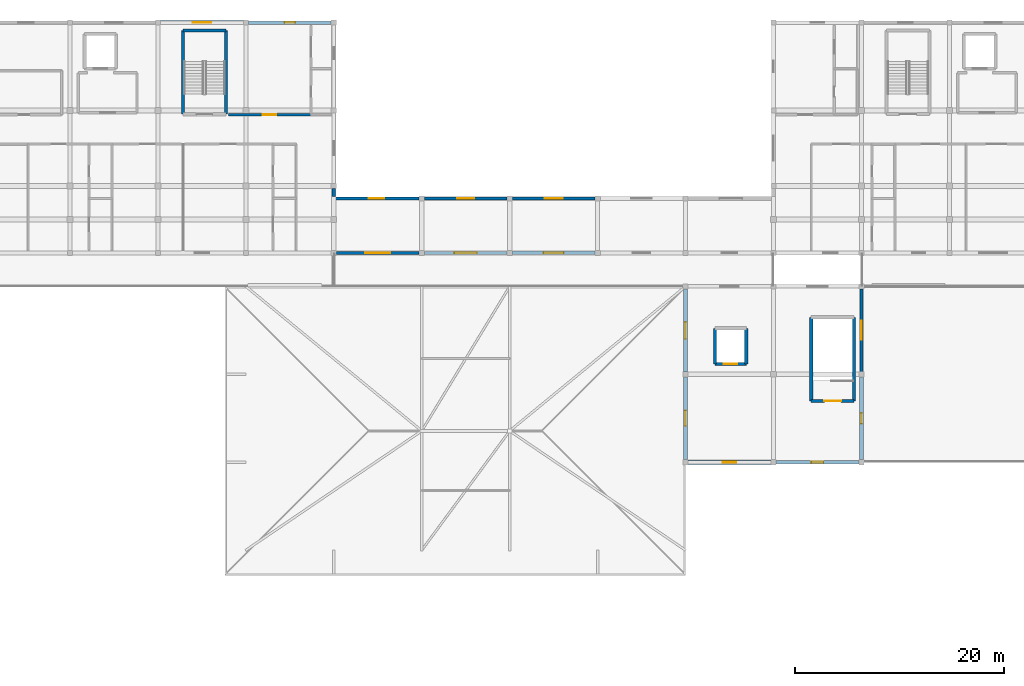
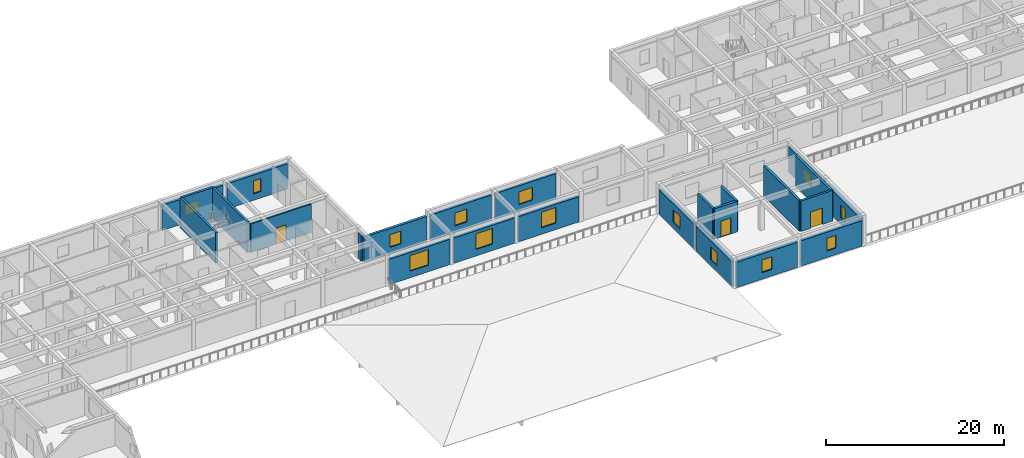
# One storey, part 12 of 28: 25 walls, 14 windows, 3 doors, 17 openings.
"""IFC4 building model written with IfcOpenShell, lengths in metres."""

from ifc_helpers import new_model, si_unit, direction, frame, frame_2d, origin, place, context, subcontext, project, spatial, rectangle, extrude, material, layer, layer_set, type_object, element, fill, save


model = new_model("IFC4")

# Units and contexts
model_context = context("Model", 3, precision=1e-05, world=origin(), true_north=direction((0.0, 1.0)))
body_context = subcontext(model_context, "Body", "Model", "MODEL_VIEW")
ifc_project = project(units=[si_unit("LENGTHUNIT", "METRE"), si_unit("AREAUNIT", "SQUARE_METRE"), si_unit("VOLUMEUNIT", "CUBIC_METRE"), si_unit("PLANEANGLEUNIT", "RADIAN"), si_unit("MASSUNIT", "GRAM", prefix="KILO")], contexts=[model_context])

# Site, building, storey
site_placement = place(None, origin())
site = spatial("IfcSite", under=ifc_project, at=site_placement, CompositionType="ELEMENT")
building_placement = place(site_placement, origin())
building = spatial("IfcBuilding", under=site, at=building_placement, Name="Varncliffe General Hospital", CompositionType="ELEMENT")
storey_placement = place(building_placement, frame((0.0, 0.0, 24.60009765625)))
storey = spatial("IfcBuildingStorey", under=building, at=storey_placement, Name="L05", CompositionType="ELEMENT", Elevation=24.60009765625)

# Wall, opening, window
ifc_material_1 = material(Name="Precast concrete C40/50 with insulated cream lime-cement stucco", Category="concrete")
ifc_layer_1 = layer(ifc_material_1, 0.31005859375)
ifc_layer_set_1 = layer_set([ifc_layer_1], Name="Precast concrete C40/50 with insulated cream lime-cement stucco")
wall_type_1 = type_object("IfcWallType", Name="Exterior Insulated Stucco Wall EW20 (310mm)", PredefinedType="SOLIDWALL", material=ifc_layer_set_1)
wall_1_placement = place(storey_placement, frame((83.751953125, 102.800048828125, 0.0), z_axis=(0.0, 0.0, 1.0), x_axis=(-1.0, 0.0, 0.0)))
wall_1 = element("IfcWall", 1, at=wall_1_placement, inside=storey, type_object=wall_type_1, Name="L05 Exterior Stucco Wall EW20-400", PredefinedType="SOLIDWALL", context=body_context, shape_type="SweptSolid", body=[
    extrude(rectangle(XDim=7.904052734375, YDim=0.31005859375, at=frame_2d((3.9521484375, 0.0))), origin(), (0.0, 0.0, 1.0), 3.47998046875),
])
opening_1_placement = place(wall_1_placement, frame((2.876953125, 0.0, 0.89990234375)))
opening_1 = element("IfcOpeningElement", 2, at=opening_1_placement, cuts=wall_1, Name="Opening WN57", PredefinedType="OPENING", context=body_context, shape_type="SweptSolid", body=[
    extrude(rectangle(XDim=2.14990234375, YDim=2.14990234375, at=frame_2d((1.074951171875, 1.074951171875))), frame((0.0, 0.1650390625, 0.0), z_axis=(0.0, -1.0, 0.0), x_axis=(1.0, 0.0, 0.0)), (0.0, 0.0, 1.0), 0.330078125),
])
ifc_material_2 = material(Name="Triple low-E argon insulated vision glazing", Category="glass")
window_type_1 = type_object("IfcWindowType", Name="Triple-Glazed Hospital Window WN57 (2150x2150)", PartitioningType="DOUBLE_PANEL_VERTICAL", PredefinedType="WINDOW", material=ifc_material_2)
window_1_placement = place(opening_1_placement, origin())
window_1 = element("IfcWindow", 3, at=window_1_placement, inside=storey, type_object=window_type_1, Name="L05 Hospital Window WN57-301", OverallHeight=2.14990234375, OverallWidth=2.14990234375, PartitioningType="DOUBLE_PANEL_VERTICAL", PredefinedType="WINDOW", context=body_context, shape_type="SweptSolid", body=[
    extrude(rectangle(XDim=2.14990234375, YDim=2.14990234375, at=frame_2d((1.074951171875, 1.074951171875))), frame((0.0, 0.030029296875, 0.0), z_axis=(0.0, -1.0, 0.0), x_axis=(1.0, 0.0, 0.0)), (0.0, 0.0, 1.0), 0.06005859375),
])
fill(opening_1, window_1)

wall_2_placement = place(storey_placement, frame((75.847900390625, 108.0, 0.0), z_axis=(0.0, 0.0, 1.0), x_axis=(1.0, 0.0, 0.0)))
wall_2 = element("IfcWall", 4, at=wall_2_placement, inside=storey, type_object=wall_type_1, Name="L05 Exterior Stucco Wall EW20-432", PredefinedType="SOLIDWALL", context=body_context, shape_type="SweptSolid", body=[
    extrude(rectangle(XDim=7.904052734375, YDim=0.31005859375, at=frame_2d((3.9521484375, 0.0))), origin(), (0.0, 0.0, 1.0), 3.47998046875),
])
opening_2_placement = place(wall_2_placement, frame((3.152099609375, 0.0, 0.89990234375)))
opening_2 = element("IfcOpeningElement", 5, at=opening_2_placement, cuts=wall_2, Name="Opening WN87", PredefinedType="OPENING", context=body_context, shape_type="SweptSolid", body=[
    extrude(rectangle(XDim=1.60009765625, YDim=1.75, at=frame_2d((0.800048828125, 0.875))), frame((0.0, 0.1650390625, 0.0), z_axis=(0.0, -1.0, 0.0), x_axis=(1.0, 0.0, 0.0)), (0.0, 0.0, 1.0), 0.330078125),
])
window_type_2 = type_object("IfcWindowType", Name="Triple-Glazed Hospital Window WN87 (1600x1750)", PartitioningType="DOUBLE_PANEL_VERTICAL", PredefinedType="WINDOW", material=ifc_material_2)
window_2_placement = place(opening_2_placement, origin())
window_2 = element("IfcWindow", 6, at=window_2_placement, inside=storey, type_object=window_type_2, Name="L05 Hospital Window WN87-327", OverallHeight=1.75, OverallWidth=1.60009765625, PartitioningType="DOUBLE_PANEL_VERTICAL", PredefinedType="WINDOW", context=body_context, shape_type="SweptSolid", body=[
    extrude(rectangle(XDim=1.60009765625, YDim=1.75, at=frame_2d((0.800048828125, 0.875))), frame((0.0, 0.030029296875, 0.0), z_axis=(0.0, -1.0, 0.0), x_axis=(1.0, 0.0, 0.0)), (0.0, 0.0, 1.0), 0.06005859375),
])
fill(opening_2, window_2)

ifc_layer_2 = layer(ifc_material_1, 0.3798828125)
ifc_layer_set_2 = layer_set([ifc_layer_2], Name="Precast concrete C40/50 with insulated cream lime-cement stucco")
wall_type_2 = type_object("IfcWallType", Name="Exterior Insulated Stucco Wall EW26 (380mm)", PredefinedType="SOLIDWALL", material=ifc_layer_set_2)
wall_3_placement = place(storey_placement, frame((50.64794921875, 124.800048828125, 0.0), z_axis=(0.0, 0.0, 1.0), x_axis=(1.0, 0.0, 0.0)))
wall_3 = element("IfcWall", 7, at=wall_3_placement, inside=storey, type_object=wall_type_2, Name="L05 Exterior Stucco Wall EW26-426", PredefinedType="SOLIDWALL", context=body_context, shape_type="SweptSolid", body=[
    extrude(rectangle(XDim=7.904052734375, YDim=0.3798828125, at=frame_2d((3.9521484375, 0.0))), origin(), (0.0, 0.0, 1.0), 3.47998046875),
])
opening_3_placement = place(wall_3_placement, frame((3.052001953125, 0.0, 0.89990234375)))
opening_3 = element("IfcOpeningElement", 8, at=opening_3_placement, cuts=wall_3, Name="Opening WN52", PredefinedType="OPENING", context=body_context, shape_type="SweptSolid", body=[
    extrude(rectangle(XDim=1.800048828125, YDim=1.550048828125, at=frame_2d((0.89990234375, 0.77490234375))), frame((0.0, 0.199951171875, 0.0), z_axis=(0.0, -1.0, 0.0), x_axis=(1.0, 0.0, 0.0)), (0.0, 0.0, 1.0), 0.39990234375),
])
window_type_3 = type_object("IfcWindowType", Name="Triple-Glazed Hospital Window WN52 (1800x1550)", PartitioningType="DOUBLE_PANEL_VERTICAL", PredefinedType="WINDOW", material=ifc_material_2)
window_3_placement = place(opening_3_placement, origin())
window_3 = element("IfcWindow", 9, at=window_3_placement, inside=storey, type_object=window_type_3, Name="L05 Hospital Window WN52-322", OverallHeight=1.550048828125, OverallWidth=1.800048828125, PartitioningType="DOUBLE_PANEL_VERTICAL", PredefinedType="WINDOW", context=body_context, shape_type="SweptSolid", body=[
    extrude(rectangle(XDim=1.800048828125, YDim=1.550048828125, at=frame_2d((0.89990234375, 0.77490234375))), frame((0.0, 0.030029296875, 0.0), z_axis=(0.0, -1.0, 0.0), x_axis=(1.0, 0.0, 0.0)), (0.0, 0.0, 1.0), 0.06005859375),
])
fill(opening_3, window_3)

wall_4_placement = place(storey_placement, frame((117.60009765625, 90.951904296875, 0.0), z_axis=(0.0, 0.0, 1.0), x_axis=(0.0, -1.0, 0.0)))
wall_4 = element("IfcWall", 10, at=wall_4_placement, inside=storey, type_object=wall_type_2, Name="L05 Exterior Stucco Wall EW26-474", PredefinedType="SOLIDWALL", context=body_context, shape_type="SweptSolid", body=[
    extrude(rectangle(XDim=7.90380859375, YDim=0.3798828125, at=frame_2d((3.951904296875, 0.0))), origin(), (0.0, 0.0, 1.0), 3.47998046875),
])
opening_4_placement = place(wall_4_placement, frame((3.451904296875, 0.0, 0.89990234375)))
opening_4 = element("IfcOpeningElement", 11, at=opening_4_placement, cuts=wall_4, Name="Opening WN53", PredefinedType="OPENING", context=body_context, shape_type="SweptSolid", body=[
    extrude(rectangle(XDim=1.0, YDim=1.75, at=frame_2d((0.5, 0.875))), frame((0.0, 0.199951171875, 0.0), z_axis=(0.0, -1.0, 0.0), x_axis=(1.0, 0.0, 0.0)), (0.0, 0.0, 1.0), 0.39990234375),
])
window_type_4 = type_object("IfcWindowType", Name="Triple-Glazed Hospital Window WN53 (1000x1750)", PartitioningType="SINGLE_PANEL", PredefinedType="WINDOW", material=ifc_material_2)
window_4_placement = place(opening_4_placement, origin())
window_4 = element("IfcWindow", 12, at=window_4_placement, inside=storey, type_object=window_type_4, Name="L05 Hospital Window WN53-367", OverallHeight=1.75, OverallWidth=1.0, PartitioningType="SINGLE_PANEL", PredefinedType="WINDOW", context=body_context, shape_type="SweptSolid", body=[
    extrude(rectangle(XDim=1.0, YDim=1.75, at=frame_2d((0.5, 0.875))), frame((0.0, 0.030029296875, 0.0), z_axis=(0.0, -1.0, 0.0), x_axis=(1.0, 0.0, 0.0)), (0.0, 0.0, 1.0), 0.06005859375),
])
fill(opening_4, window_4)

wall_5_placement = place(storey_placement, frame((100.800048828125, 83.048095703125, 0.0), z_axis=(0.0, 0.0, 1.0), x_axis=(0.0, 1.0, 0.0)))
wall_5 = element("IfcWall", 13, at=wall_5_placement, inside=storey, type_object=wall_type_2, Name="L05 Exterior Stucco Wall EW26-477", PredefinedType="SOLIDWALL", context=body_context, shape_type="SweptSolid", body=[
    extrude(rectangle(XDim=7.90380859375, YDim=0.3798828125, at=frame_2d((3.951904296875, 0.0))), origin(), (0.0, 0.0, 1.0), 3.47998046875),
])
opening_5_placement = place(wall_5_placement, frame((3.22705078125, 0.0, 0.89990234375)))
opening_5 = element("IfcOpeningElement", 14, at=opening_5_placement, cuts=wall_5, Name="Opening WN88", PredefinedType="OPENING", context=body_context, shape_type="SweptSolid", body=[
    extrude(rectangle(XDim=1.449951171875, YDim=1.75, at=frame_2d((0.72509765625, 0.875))), frame((0.0, 0.199951171875, 0.0), z_axis=(0.0, -1.0, 0.0), x_axis=(1.0, 0.0, 0.0)), (0.0, 0.0, 1.0), 0.39990234375),
])
window_type_5 = type_object("IfcWindowType", Name="Triple-Glazed Hospital Window WN88 (1450x1750)", PartitioningType="SINGLE_PANEL", PredefinedType="WINDOW", material=ifc_material_2)
window_5_placement = place(opening_5_placement, origin())
window_5 = element("IfcWindow", 15, at=window_5_placement, inside=storey, type_object=window_type_5, Name="L05 Hospital Window WN88-370", OverallHeight=1.75, OverallWidth=1.449951171875, PartitioningType="SINGLE_PANEL", PredefinedType="WINDOW", context=body_context, shape_type="SweptSolid", body=[
    extrude(rectangle(XDim=1.449951171875, YDim=1.75, at=frame_2d((0.72509765625, 0.875))), frame((0.0, 0.030029296875, 0.0), z_axis=(0.0, -1.0, 0.0), x_axis=(1.0, 0.0, 0.0)), (0.0, 0.0, 1.0), 0.06005859375),
])
fill(opening_5, window_5)

ifc_layer_3 = layer(ifc_material_1, 0.2900390625)
ifc_layer_set_3 = layer_set([ifc_layer_3], Name="Precast concrete C40/50 with insulated cream lime-cement stucco")
wall_type_3 = type_object("IfcWallType", Name="Exterior Insulated Stucco Wall EW31 (290mm)", PredefinedType="SOLIDWALL", material=ifc_layer_set_3)
wall_6_placement = place(storey_placement, frame((75.35205078125, 102.800048828125, 0.0), z_axis=(0.0, 0.0, 1.0), x_axis=(-1.0, 0.0, 0.0)))
wall_6 = element("IfcWall", 16, at=wall_6_placement, inside=storey, type_object=wall_type_3, Name="L05 Exterior Stucco Wall EW31-401", PredefinedType="SOLIDWALL", context=body_context, shape_type="SweptSolid", body=[
    extrude(rectangle(XDim=7.904052734375, YDim=0.2900390625, at=frame_2d((3.9521484375, 0.0))), origin(), (0.0, 0.0, 1.0), 3.47998046875),
])
opening_6_placement = place(wall_6_placement, frame((2.751953125, 0.0, 0.89990234375)))
opening_6 = element("IfcOpeningElement", 17, at=opening_6_placement, cuts=wall_6, Name="Opening WN61", PredefinedType="OPENING", context=body_context, shape_type="SweptSolid", body=[
    extrude(rectangle(XDim=2.39990234375, YDim=2.14990234375, at=frame_2d((1.199951171875, 1.074951171875))), frame((0.0, 0.155029296875, 0.0), z_axis=(0.0, -1.0, 0.0), x_axis=(1.0, 0.0, 0.0)), (0.0, 0.0, 1.0), 0.31005859375),
])
window_type_6 = type_object("IfcWindowType", Name="Triple-Glazed Hospital Window WN61 (2400x2150)", PartitioningType="DOUBLE_PANEL_VERTICAL", PredefinedType="WINDOW", material=ifc_material_2)
window_6_placement = place(opening_6_placement, origin())
window_6 = element("IfcWindow", 18, at=window_6_placement, inside=storey, type_object=window_type_6, Name="L05 Hospital Window WN61-302", OverallHeight=2.14990234375, OverallWidth=2.39990234375, PartitioningType="DOUBLE_PANEL_VERTICAL", PredefinedType="WINDOW", context=body_context, shape_type="SweptSolid", body=[
    extrude(rectangle(XDim=2.39990234375, YDim=2.14990234375, at=frame_2d((1.199951171875, 1.074951171875))), frame((0.0, 0.030029296875, 0.0), z_axis=(0.0, -1.0, 0.0), x_axis=(1.0, 0.0, 0.0)), (0.0, 0.0, 1.0), 0.06005859375),
])
fill(opening_6, window_6)

wall_7_placement = place(storey_placement, frame((84.248046875, 108.0, 0.0), z_axis=(0.0, 0.0, 1.0), x_axis=(1.0, 0.0, 0.0)))
wall_7 = element("IfcWall", 19, at=wall_7_placement, inside=storey, type_object=wall_type_3, Name="L05 Exterior Stucco Wall EW31-433", PredefinedType="SOLIDWALL", context=body_context, shape_type="SweptSolid", body=[
    extrude(rectangle(XDim=7.904052734375, YDim=0.2900390625, at=frame_2d((3.9521484375, 0.0))), origin(), (0.0, 0.0, 1.0), 3.47998046875),
])
opening_7_placement = place(wall_7_placement, frame((3.076904296875, 0.0, 0.89990234375)))
opening_7 = element("IfcOpeningElement", 20, at=opening_7_placement, cuts=wall_7, Name="Opening WN82", PredefinedType="OPENING", context=body_context, shape_type="SweptSolid", body=[
    extrude(rectangle(XDim=1.75, YDim=1.75, at=frame_2d((0.875, 0.875))), frame((0.0, 0.155029296875, 0.0), z_axis=(0.0, -1.0, 0.0), x_axis=(1.0, 0.0, 0.0)), (0.0, 0.0, 1.0), 0.31005859375),
])
window_type_7 = type_object("IfcWindowType", Name="Triple-Glazed Hospital Window WN82 (1750x1750)", PartitioningType="DOUBLE_PANEL_VERTICAL", PredefinedType="WINDOW", material=ifc_material_2)
window_7_placement = place(opening_7_placement, origin())
window_7 = element("IfcWindow", 21, at=window_7_placement, inside=storey, type_object=window_type_7, Name="L05 Hospital Window WN82-328", OverallHeight=1.75, OverallWidth=1.75, PartitioningType="DOUBLE_PANEL_VERTICAL", PredefinedType="WINDOW", context=body_context, shape_type="SweptSolid", body=[
    extrude(rectangle(XDim=1.75, YDim=1.75, at=frame_2d((0.875, 0.875))), frame((0.0, 0.030029296875, 0.0), z_axis=(0.0, -1.0, 0.0), x_axis=(1.0, 0.0, 0.0)), (0.0, 0.0, 1.0), 0.06005859375),
])
fill(opening_7, window_7)

wall_8_placement = place(storey_placement, frame((117.60009765625, 99.35205078125, 0.0), z_axis=(0.0, 0.0, 1.0), x_axis=(0.0, -1.0, 0.0)))
wall_8 = element("IfcWall", 22, at=wall_8_placement, inside=storey, type_object=wall_type_3, Name="L05 Exterior Stucco Wall EW31-473", PredefinedType="SOLIDWALL", context=body_context, shape_type="SweptSolid", body=[
    extrude(rectangle(XDim=7.904052734375, YDim=0.2900390625, at=frame_2d((3.9521484375, 0.0))), origin(), (0.0, 0.0, 1.0), 3.47998046875),
])
opening_8_placement = place(wall_8_placement, frame((3.052001953125, 0.0, 0.89990234375)))
opening_8 = element("IfcOpeningElement", 23, at=opening_8_placement, cuts=wall_8, Name="Opening WN52", PredefinedType="OPENING", context=body_context, shape_type="SweptSolid", body=[
    extrude(rectangle(XDim=1.800048828125, YDim=1.550048828125, at=frame_2d((0.89990234375, 0.77490234375))), frame((0.0, 0.155029296875, 0.0), z_axis=(0.0, -1.0, 0.0), x_axis=(1.0, 0.0, 0.0)), (0.0, 0.0, 1.0), 0.31005859375),
])
window_8_placement = place(opening_8_placement, origin())
window_8 = element("IfcWindow", 24, at=window_8_placement, inside=storey, type_object=window_type_3, Name="L05 Hospital Window WN52-366", OverallHeight=1.550048828125, OverallWidth=1.800048828125, PartitioningType="DOUBLE_PANEL_VERTICAL", PredefinedType="WINDOW", context=body_context, shape_type="SweptSolid", body=[
    extrude(rectangle(XDim=1.800048828125, YDim=1.550048828125, at=frame_2d((0.89990234375, 0.77490234375))), frame((0.0, 0.030029296875, 0.0), z_axis=(0.0, -1.0, 0.0), x_axis=(1.0, 0.0, 0.0)), (0.0, 0.0, 1.0), 0.06005859375),
])
fill(opening_8, window_8)

ifc_layer_4 = layer(ifc_material_1, 0.330078125)
ifc_layer_set_4 = layer_set([ifc_layer_4], Name="Precast concrete C40/50 with insulated cream lime-cement stucco")
wall_type_4 = type_object("IfcWallType", Name="Exterior Insulated Stucco Wall EW33 (330mm)", PredefinedType="SOLIDWALL", material=ifc_layer_set_4)
wall_9_placement = place(storey_placement, frame((92.152099609375, 102.800048828125, 0.0), z_axis=(0.0, 0.0, 1.0), x_axis=(-1.0, 0.0, 0.0)))
wall_9 = element("IfcWall", 25, at=wall_9_placement, inside=storey, type_object=wall_type_4, Name="L05 Exterior Stucco Wall EW33-399", PredefinedType="SOLIDWALL", context=body_context, shape_type="SweptSolid", body=[
    extrude(rectangle(XDim=7.904052734375, YDim=0.330078125, at=frame_2d((3.9521484375, 0.0))), origin(), (0.0, 0.0, 1.0), 3.47998046875),
])
opening_9_placement = place(wall_9_placement, frame((3.001953125, 0.0, 0.89990234375)))
opening_9 = element("IfcOpeningElement", 26, at=opening_9_placement, cuts=wall_9, Name="Opening WN15", PredefinedType="OPENING", context=body_context, shape_type="SweptSolid", body=[
    extrude(rectangle(XDim=1.89990234375, YDim=2.14990234375, at=frame_2d((0.949951171875, 1.074951171875))), frame((0.0, 0.175048828125, 0.0), z_axis=(0.0, -1.0, 0.0), x_axis=(1.0, 0.0, 0.0)), (0.0, 0.0, 1.0), 0.35009765625),
])
window_type_8 = type_object("IfcWindowType", Name="Triple-Glazed Hospital Window WN15 (1900x2150)", PartitioningType="DOUBLE_PANEL_VERTICAL", PredefinedType="WINDOW", material=ifc_material_2)
window_9_placement = place(opening_9_placement, origin())
window_9 = element("IfcWindow", 27, at=window_9_placement, inside=storey, type_object=window_type_8, Name="L05 Hospital Window WN15-300", OverallHeight=2.14990234375, OverallWidth=1.89990234375, PartitioningType="DOUBLE_PANEL_VERTICAL", PredefinedType="WINDOW", context=body_context, shape_type="SweptSolid", body=[
    extrude(rectangle(XDim=1.89990234375, YDim=2.14990234375, at=frame_2d((0.949951171875, 1.074951171875))), frame((0.0, 0.030029296875, 0.0), z_axis=(0.0, -1.0, 0.0), x_axis=(1.0, 0.0, 0.0)), (0.0, 0.0, 1.0), 0.06005859375),
])
fill(opening_9, window_9)

wall_10_placement = place(storey_placement, frame((67.199951171875, 108.0, 0.0), z_axis=(0.0, 0.0, 1.0), x_axis=(1.0, 0.0, 0.0)))
wall_10 = element("IfcWall", 28, at=wall_10_placement, inside=storey, type_object=wall_type_4, Name="L05 Exterior Stucco Wall EW33-431", PredefinedType="SOLIDWALL", context=body_context, shape_type="SweptSolid", body=[
    extrude(rectangle(XDim=8.152099609375, YDim=0.330078125, at=frame_2d((4.076171875, 0.0))), origin(), (0.0, 0.0, 1.0), 3.47998046875),
])
opening_10_placement = place(wall_10_placement, frame((3.35107421875, 0.0, 0.89990234375)))
opening_10 = element("IfcOpeningElement", 29, at=opening_10_placement, cuts=wall_10, Name="Opening WN88", PredefinedType="OPENING", context=body_context, shape_type="SweptSolid", body=[
    extrude(rectangle(XDim=1.449951171875, YDim=1.75, at=frame_2d((0.72509765625, 0.875))), frame((0.0, 0.175048828125, 0.0), z_axis=(0.0, -1.0, 0.0), x_axis=(1.0, 0.0, 0.0)), (0.0, 0.0, 1.0), 0.35009765625),
])
window_10_placement = place(opening_10_placement, origin())
window_10 = element("IfcWindow", 30, at=window_10_placement, inside=storey, type_object=window_type_5, Name="L05 Hospital Window WN88-326", OverallHeight=1.75, OverallWidth=1.449951171875, PartitioningType="SINGLE_PANEL", PredefinedType="WINDOW", context=body_context, shape_type="SweptSolid", body=[
    extrude(rectangle(XDim=1.449951171875, YDim=1.75, at=frame_2d((0.72509765625, 0.875))), frame((0.0, 0.030029296875, 0.0), z_axis=(0.0, -1.0, 0.0), x_axis=(1.0, 0.0, 0.0)), (0.0, 0.0, 1.0), 0.06005859375),
])
fill(opening_10, window_10)

ifc_layer_5 = layer(ifc_material_1, 0.35009765625)
ifc_layer_set_5 = layer_set([ifc_layer_5], Name="Precast concrete C40/50 with insulated cream lime-cement stucco")
wall_type_5 = type_object("IfcWallType", Name="Exterior Insulated Stucco Wall EW37 (350mm)", PredefinedType="SOLIDWALL", material=ifc_layer_set_5)
wall_11_placement = place(storey_placement, frame((59.048095703125, 124.800048828125, 0.0), z_axis=(0.0, 0.0, 1.0), x_axis=(1.0, 0.0, 0.0)))
wall_11 = element("IfcWall", 31, at=wall_11_placement, inside=storey, type_object=wall_type_5, Name="L05 Exterior Stucco Wall EW37-427", PredefinedType="SOLIDWALL", context=body_context, shape_type="SweptSolid", body=[
    extrude(rectangle(XDim=7.90380859375, YDim=0.35009765625, at=frame_2d((3.951904296875, 0.0))), origin(), (0.0, 0.0, 1.0), 3.47998046875),
])
opening_11_placement = place(wall_11_placement, frame((3.451904296875, 0.0, 0.89990234375)))
opening_11 = element("IfcOpeningElement", 32, at=opening_11_placement, cuts=wall_11, Name="Opening WN53", PredefinedType="OPENING", context=body_context, shape_type="SweptSolid", body=[
    extrude(rectangle(XDim=1.0, YDim=1.75, at=frame_2d((0.5, 0.875))), frame((0.0, 0.18505859375, 0.0), z_axis=(0.0, -1.0, 0.0), x_axis=(1.0, 0.0, 0.0)), (0.0, 0.0, 1.0), 0.3701171875),
])
window_11_placement = place(opening_11_placement, origin())
window_11 = element("IfcWindow", 33, at=window_11_placement, inside=storey, type_object=window_type_4, Name="L05 Hospital Window WN53-323", OverallHeight=1.75, OverallWidth=1.0, PartitioningType="SINGLE_PANEL", PredefinedType="WINDOW", context=body_context, shape_type="SweptSolid", body=[
    extrude(rectangle(XDim=1.0, YDim=1.75, at=frame_2d((0.5, 0.875))), frame((0.0, 0.030029296875, 0.0), z_axis=(0.0, -1.0, 0.0), x_axis=(1.0, 0.0, 0.0)), (0.0, 0.0, 1.0), 0.06005859375),
])
fill(opening_11, window_11)

# Wall
wall_12_placement = place(storey_placement, frame((67.199951171875, 108.951904296875, 0.0), z_axis=(0.0, 0.0, 1.0), x_axis=(0.0, -1.0, 0.0)))
element("IfcWall", 34, at=wall_12_placement, inside=storey, type_object=wall_type_5, Name="L05 Exterior Stucco Wall EW37-430", PredefinedType="SOLIDWALL", context=body_context, shape_type="SweptSolid", body=[
    extrude(rectangle(XDim=0.7568359375, YDim=0.35009765625, at=frame_2d((0.37841796875, 0.0))), origin(), (0.0, 0.0, 1.0), 3.47998046875),
])

# Wall, opening, window
wall_13_placement = place(storey_placement, frame((117.35205078125, 82.800048828125, 0.0), z_axis=(0.0, 0.0, 1.0), x_axis=(-1.0, 0.0, 0.0)))
wall_13 = element("IfcWall", 35, at=wall_13_placement, inside=storey, type_object=wall_type_5, Name="L05 Exterior Stucco Wall EW37-475", PredefinedType="SOLIDWALL", context=body_context, shape_type="SweptSolid", body=[
    extrude(rectangle(XDim=7.904052734375, YDim=0.35009765625, at=frame_2d((3.9521484375, 0.0))), origin(), (0.0, 0.0, 1.0), 3.47998046875),
])
opening_12_placement = place(wall_13_placement, frame((3.376953125, 0.0, 0.89990234375)))
opening_12 = element("IfcOpeningElement", 36, at=opening_12_placement, cuts=wall_13, Name="Opening WN60", PredefinedType="OPENING", context=body_context, shape_type="SweptSolid", body=[
    extrude(rectangle(XDim=1.14990234375, YDim=1.75, at=frame_2d((0.574951171875, 0.875))), frame((0.0, 0.18505859375, 0.0), z_axis=(0.0, -1.0, 0.0), x_axis=(1.0, 0.0, 0.0)), (0.0, 0.0, 1.0), 0.3701171875),
])
window_type_9 = type_object("IfcWindowType", Name="Triple-Glazed Hospital Window WN60 (1150x1750)", PartitioningType="SINGLE_PANEL", PredefinedType="WINDOW", material=ifc_material_2)
window_12_placement = place(opening_12_placement, origin())
window_12 = element("IfcWindow", 37, at=window_12_placement, inside=storey, type_object=window_type_9, Name="L05 Hospital Window WN60-368", OverallHeight=1.75, OverallWidth=1.14990234375, PartitioningType="SINGLE_PANEL", PredefinedType="WINDOW", context=body_context, shape_type="SweptSolid", body=[
    extrude(rectangle(XDim=1.14990234375, YDim=1.75, at=frame_2d((0.574951171875, 0.875))), frame((0.0, 0.030029296875, 0.0), z_axis=(0.0, -1.0, 0.0), x_axis=(1.0, 0.0, 0.0)), (0.0, 0.0, 1.0), 0.06005859375),
])
fill(opening_12, window_12)

wall_14_placement = place(storey_placement, frame((100.800048828125, 91.447998046875, 0.0), z_axis=(0.0, 0.0, 1.0), x_axis=(0.0, 1.0, 0.0)))
wall_14 = element("IfcWall", 38, at=wall_14_placement, inside=storey, type_object=wall_type_5, Name="L05 Exterior Stucco Wall EW37-478", PredefinedType="SOLIDWALL", context=body_context, shape_type="SweptSolid", body=[
    extrude(rectangle(XDim=7.904052734375, YDim=0.35009765625, at=frame_2d((3.9521484375, 0.0))), origin(), (0.0, 0.0, 1.0), 3.47998046875),
])
opening_13_placement = place(wall_14_placement, frame((3.152099609375, 0.0, 0.89990234375)))
opening_13 = element("IfcOpeningElement", 39, at=opening_13_placement, cuts=wall_14, Name="Opening WN87", PredefinedType="OPENING", context=body_context, shape_type="SweptSolid", body=[
    extrude(rectangle(XDim=1.60009765625, YDim=1.75, at=frame_2d((0.800048828125, 0.875))), frame((0.0, 0.18505859375, 0.0), z_axis=(0.0, -1.0, 0.0), x_axis=(1.0, 0.0, 0.0)), (0.0, 0.0, 1.0), 0.3701171875),
])
window_13_placement = place(opening_13_placement, origin())
window_13 = element("IfcWindow", 40, at=window_13_placement, inside=storey, type_object=window_type_2, Name="L05 Hospital Window WN87-371", OverallHeight=1.75, OverallWidth=1.60009765625, PartitioningType="DOUBLE_PANEL_VERTICAL", PredefinedType="WINDOW", context=body_context, shape_type="SweptSolid", body=[
    extrude(rectangle(XDim=1.60009765625, YDim=1.75, at=frame_2d((0.800048828125, 0.875))), frame((0.0, 0.030029296875, 0.0), z_axis=(0.0, -1.0, 0.0), x_axis=(1.0, 0.0, 0.0)), (0.0, 0.0, 1.0), 0.06005859375),
])
fill(opening_13, window_13)

ifc_layer_6 = layer(ifc_material_1, 0.39990234375)
ifc_layer_set_6 = layer_set([ifc_layer_6], Name="Precast concrete C40/50 with insulated cream lime-cement stucco")
wall_type_6 = type_object("IfcWallType", Name="Exterior Insulated Stucco Wall EW47 (400mm)", PredefinedType="SOLIDWALL", material=ifc_layer_set_6)
wall_15_placement = place(storey_placement, frame((108.951904296875, 82.800048828125, 0.0), z_axis=(0.0, 0.0, 1.0), x_axis=(-1.0, 0.0, 0.0)))
wall_15 = element("IfcWall", 41, at=wall_15_placement, inside=storey, type_object=wall_type_6, Name="L05 Exterior Stucco Wall EW47-476", PredefinedType="SOLIDWALL", context=body_context, shape_type="SweptSolid", body=[
    extrude(rectangle(XDim=7.90380859375, YDim=0.39990234375, at=frame_2d((3.951904296875, 0.0))), origin(), (0.0, 0.0, 1.0), 3.47998046875),
])
opening_14_placement = place(wall_15_placement, frame((3.302001953125, 0.0, 0.89990234375)))
opening_14 = element("IfcOpeningElement", 42, at=opening_14_placement, cuts=wall_15, Name="Opening WN40", PredefinedType="OPENING", context=body_context, shape_type="SweptSolid", body=[
    extrude(rectangle(XDim=1.300048828125, YDim=1.75, at=frame_2d((0.64990234375, 0.875))), frame((0.0, 0.2099609375, 0.0), z_axis=(0.0, -1.0, 0.0), x_axis=(1.0, 0.0, 0.0)), (0.0, 0.0, 1.0), 0.419921875),
])
window_type_10 = type_object("IfcWindowType", Name="Triple-Glazed Hospital Window WN40 (1300x1750)", PartitioningType="SINGLE_PANEL", PredefinedType="WINDOW", material=ifc_material_2)
window_14_placement = place(opening_14_placement, origin())
window_14 = element("IfcWindow", 43, at=window_14_placement, inside=storey, type_object=window_type_10, Name="L05 Hospital Window WN40-369", OverallHeight=1.75, OverallWidth=1.300048828125, PartitioningType="SINGLE_PANEL", PredefinedType="WINDOW", context=body_context, shape_type="SweptSolid", body=[
    extrude(rectangle(XDim=1.300048828125, YDim=1.75, at=frame_2d((0.64990234375, 0.875))), frame((0.0, 0.030029296875, 0.0), z_axis=(0.0, -1.0, 0.0), x_axis=(1.0, 0.0, 0.0)), (0.0, 0.0, 1.0), 0.06005859375),
])
fill(opening_14, window_14)

# Wall, opening, door
ifc_material_3 = material(Name="Fire-rated gypsum and mineral-wool partition assembly", Category="gypsum")
ifc_layer_7 = layer(ifc_material_3, 0.199951171875)
ifc_layer_set_7 = layer_set([ifc_layer_7], Name="Fire-rated gypsum and mineral-wool partition assembly")
wall_type_7 = type_object("IfcWallType", Name="Interior Partitioning PW63 (200mm)", PredefinedType="PARTITIONING", material=ifc_layer_set_7)
wall_16_placement = place(storey_placement, frame((57.134521484375, 116.0, 0.0), z_axis=(0.0, 0.0, 1.0), x_axis=(1.0, 0.0, 0.0)))
wall_16 = element("IfcWall", 44, at=wall_16_placement, inside=storey, type_object=wall_type_7, Name="L05 Interior Partition Wall PW63-2074", PredefinedType="PARTITIONING", context=body_context, shape_type="SweptSolid", body=[
    extrude(rectangle(XDim=7.865478515625, YDim=0.199951171875, at=frame_2d((3.9326171875, 0.0))), origin(), (0.0, 0.0, 1.0), 3.919921875),
])
opening_15_placement = place(wall_16_placement, frame((3.28271484375, 0.0, 0.0)))
opening_15 = element("IfcOpeningElement", 45, at=opening_15_placement, cuts=wall_16, Name="Opening DC88", PredefinedType="OPENING", context=body_context, shape_type="SweptSolid", body=[
    extrude(rectangle(XDim=1.300048828125, YDim=2.199951171875, at=frame_2d((0.64990234375, 1.10009765625))), frame((0.0, 0.10986328125, 0.0), z_axis=(0.0, -1.0, 0.0), x_axis=(1.0, 0.0, 0.0)), (0.0, 0.0, 1.0), 0.219970703125),
])
ifc_material_4 = material(Name="Fire-rated hospital steel-frame vision-panel door", Category="steel")
door_type_1 = type_object("IfcDoorType", Name="Interior Hospital Door DC88 (1300x2200)", OperationType="NOTDEFINED", PredefinedType="DOOR", material=ifc_material_4)
door_1_placement = place(opening_15_placement, origin())
door_1 = element("IfcDoor", 46, at=door_1_placement, inside=storey, type_object=door_type_1, Name="L05 Maternity Birthing and Postpartum Suite 77 Door", OperationType="SINGLE_SWING_RIGHT", OverallHeight=2.199951171875, OverallWidth=1.300048828125, PredefinedType="DOOR", context=body_context, shape_type="SweptSolid", body=[
    extrude(rectangle(XDim=1.300048828125, YDim=2.199951171875, at=frame_2d((0.64990234375, 1.10009765625))), frame((0.0, 0.02490234375, 0.0), z_axis=(0.0, -1.0, 0.0), x_axis=(1.0, 0.0, 0.0)), (0.0, 0.0, 1.0), 0.050048828125),
])
fill(opening_15, door_1)

# Walls
ifc_material_5 = material(Name="Concrete C40/50 (CSA A23.1 40 MPa)", Category="concrete")
ifc_layer_8 = layer(ifc_material_5, 0.300048828125)
ifc_layer_set_8 = layer_set([ifc_layer_8], Name="Concrete C40/50 (CSA A23.1 40 MPa)")
wall_type_8 = type_object("IfcWallType", Name="Reinforced Concrete Core Shear Wall CW12 (300mm)", PredefinedType="SHEAR", material=ifc_layer_set_8)
wall_17_placement = place(storey_placement, frame((56.89990234375, 116.050048828125, 0.0), z_axis=(0.0, 0.0, 1.0), x_axis=(0.0, 1.0, 0.0)))
element("IfcWall", 47, at=wall_17_placement, inside=storey, type_object=wall_type_8, Name="L05 ST02 Core Shear Wall L", PredefinedType="SHEAR", context=body_context, shape_type="SweptSolid", body=[
    extrude(rectangle(XDim=8.0, YDim=0.300048828125, at=frame_2d((4.0, 0.0))), origin(), (0.0, 0.0, 1.0), 4.199951171875),
])
wall_18_placement = place(storey_placement, frame((56.89990234375, 124.050048828125, 0.0), z_axis=(0.0, 0.0, 1.0), x_axis=(-1.0, 0.0, 0.0)))
element("IfcWall", 48, at=wall_18_placement, inside=storey, type_object=wall_type_8, Name="L05 ST02 Core Shear Wall F", PredefinedType="SHEAR", context=body_context, shape_type="SweptSolid", body=[
    extrude(rectangle(XDim=4.099853515625, YDim=0.300048828125, at=frame_2d((2.0498046875, 0.0))), origin(), (0.0, 0.0, 1.0), 4.199951171875),
])
for number, where, z_axis, x_axis, name in (
    (49, (52.800048828125, 124.050048828125, 0.0), (0.0, 0.0, 1.0), (0.0, -1.0, 0.0), "L05 ST02 Core Shear Wall R"),
    (50, (116.89990234375, 88.64990234375, 0.0), (0.0, 0.0, 1.0), (0.0, 1.0, 0.0), "L05 ST06 Core Shear Wall L"),
    (51, (112.800048828125, 96.64990234375, 0.0), (0.0, 0.0, 1.0), (0.0, -1.0, 0.0), "L05 ST06 Core Shear Wall R"),
):
    element("IfcWall", number, at=place(storey_placement, frame(where, z_axis=z_axis, x_axis=x_axis)), inside=storey, type_object=wall_type_8, Name=name, PredefinedType="SHEAR", context=body_context, shape_type="SweptSolid", body=[
        extrude(rectangle(XDim=8.0, YDim=0.300048828125, at=frame_2d((4.0, 0.0))), origin(), (0.0, 0.0, 1.0), 4.199951171875),
    ])

# Wall, opening, door
wall_19_placement = place(storey_placement, frame((112.800048828125, 88.64990234375, 0.0), z_axis=(0.0, 0.0, 1.0), x_axis=(1.0, 0.0, 0.0)))
wall_19 = element("IfcWall", 52, at=wall_19_placement, inside=storey, type_object=wall_type_8, Name="L05 ST06 Core Shear Wall N", PredefinedType="SHEAR", context=body_context, shape_type="SweptSolid", body=[
    extrude(rectangle(XDim=4.099853515625, YDim=0.300048828125, at=frame_2d((2.0498046875, 0.0))), origin(), (0.0, 0.0, 1.0), 4.199951171875),
])
opening_16_placement = place(wall_19_placement, frame((1.25, 0.0, 0.0)))
opening_16 = element("IfcOpeningElement", 53, at=opening_16_placement, cuts=wall_19, Name="Opening DF27", PredefinedType="OPENING", context=body_context, shape_type="SweptSolid", body=[
    extrude(rectangle(XDim=1.60009765625, YDim=2.25, at=frame_2d((0.800048828125, 1.125))), frame((0.0, 0.16015625, 0.0), z_axis=(0.0, -1.0, 0.0), x_axis=(1.0, 0.0, 0.0)), (0.0, 0.0, 1.0), 0.320068359375),
])
door_type_2 = type_object("IfcDoorType", Name="Interior Hospital Door DF27 (1600x2250)", OperationType="NOTDEFINED", PredefinedType="DOOR", material=ifc_material_4)
door_2_placement = place(opening_16_placement, frame((1.60009765625, 0.0, 0.0), z_axis=(0.0, 0.0, 1.0), x_axis=(-1.0, 0.0, 0.0)))
door_2 = element("IfcDoor", 54, at=door_2_placement, inside=storey, type_object=door_type_2, Name="L05 ST06 Protected Exit Stair Door", OperationType="SINGLE_SWING_RIGHT", OverallHeight=2.25, OverallWidth=1.60009765625, PredefinedType="DOOR", context=body_context, shape_type="SweptSolid", body=[
    extrude(rectangle(XDim=1.60009765625, YDim=2.25, at=frame_2d((0.800048828125, 1.125))), frame((0.0, 0.02490234375, 0.0), z_axis=(0.0, -1.0, 0.0), x_axis=(1.0, 0.0, 0.0)), (0.0, 0.0, 1.0), 0.050048828125),
])
fill(opening_16, door_2)

wall_20_placement = place(storey_placement, frame((103.60009765625, 92.199951171875, 0.0), z_axis=(0.0, 0.0, 1.0), x_axis=(1.0, 0.0, 0.0)))
wall_20 = element("IfcWall", 55, at=wall_20_placement, inside=storey, type_object=wall_type_8, Name="L05 LF07 Elevator Shaft Wall South", PredefinedType="SHEAR", context=body_context, shape_type="SweptSolid", body=[
    extrude(rectangle(XDim=3.0, YDim=0.300048828125, at=frame_2d((1.5, 0.0))), origin(), (0.0, 0.0, 1.0), 4.199951171875),
])
opening_17_placement = place(wall_20_placement, frame((0.85009765625, 0.0, 0.0)))
opening_17 = element("IfcOpeningElement", 56, at=opening_17_placement, cuts=wall_20, Name="Opening LD02", PredefinedType="OPENING", context=body_context, shape_type="SweptSolid", body=[
    extrude(rectangle(XDim=1.300048828125, YDim=2.199951171875, at=frame_2d((0.64990234375, 1.10009765625))), frame((0.0, 0.16015625, 0.0), z_axis=(0.0, -1.0, 0.0), x_axis=(1.0, 0.0, 0.0)), (0.0, 0.0, 1.0), 0.320068359375),
])
ifc_material_6 = material(Name="Brushed stainless-steel sliding elevator landing door", Category="steel")
door_type_3 = type_object("IfcDoorType", Name="Lift Landing Door LD02 (1300x2200)", OperationType="DOUBLE_DOOR_SLIDING", PredefinedType="DOOR", material=ifc_material_6)
door_3_placement = place(opening_17_placement, origin())
door_3 = element("IfcDoor", 57, at=door_3_placement, inside=storey, type_object=door_type_3, Name="Lift Landing Door LF07 L05", OperationType="DOUBLE_DOOR_SLIDING", OverallHeight=2.199951171875, OverallWidth=1.300048828125, PredefinedType="DOOR", context=body_context, shape_type="SweptSolid", body=[
    extrude(rectangle(XDim=1.300048828125, YDim=2.199951171875, at=frame_2d((0.64990234375, 1.10009765625))), frame((0.0, 0.02490234375, 0.0), z_axis=(0.0, -1.0, 0.0), x_axis=(1.0, 0.0, 0.0)), (0.0, 0.0, 1.0), 0.050048828125),
])
fill(opening_17, door_3)

# Walls
for number, where, z_axis, x_axis, name in (
    (58, (106.60009765625, 92.199951171875, 0.0), (0.0, 0.0, 1.0), (0.0, 1.0, 0.0), "L05 LF07 Elevator Shaft Wall East"),
    (59, (103.60009765625, 95.60009765625, 0.0), (0.0, 0.0, 1.0), (0.0, -1.0, 0.0), "L05 LF07 Elevator Shaft Wall West"),
):
    element("IfcWall", number, at=place(storey_placement, frame(where, z_axis=z_axis, x_axis=x_axis)), inside=storey, type_object=wall_type_8, Name=name, PredefinedType="SHEAR", context=body_context, shape_type="SweptSolid", body=[
        extrude(rectangle(XDim=3.400146484375, YDim=0.300048828125, at=frame_2d((1.7001953125, 0.0))), origin(), (0.0, 0.0, 1.0), 4.199951171875),
    ])

save(model, "model.ifc")
